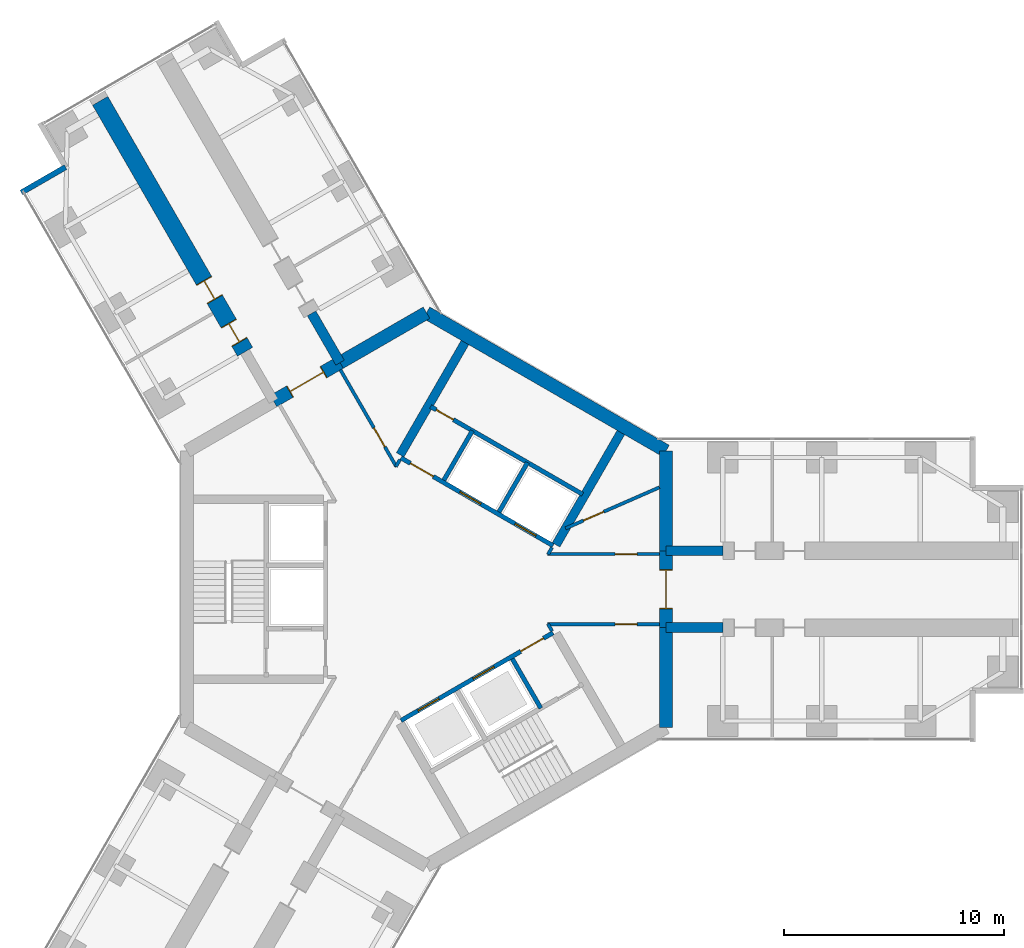
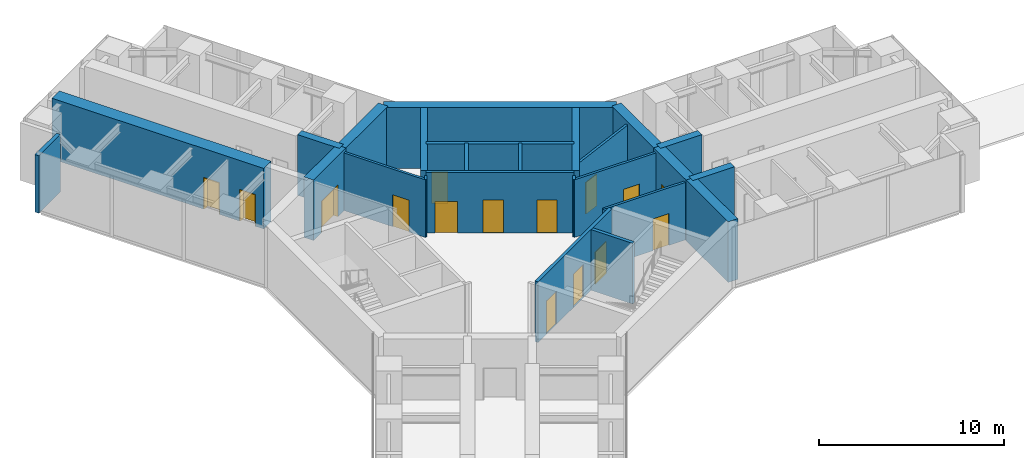
# One storey, part 16 of 22: 26 walls, 15 doors, 15 openings.
"""IFC4 building model written with IfcOpenShell, lengths in metres."""

from ifc_helpers import new_model, si_unit, direction, frame, frame_2d, origin, place, context, subcontext, project, spatial, rectangle, extrude, material, layer, layer_set, type_object, element, fill, save


model = new_model("IFC4")

# Units and contexts
model_context = context("Model", 3, precision=1e-05, world=origin(), true_north=direction((0.0, 1.0)))
body_context = subcontext(model_context, "Body", "Model", "MODEL_VIEW")
ifc_project = project(units=[si_unit("LENGTHUNIT", "METRE"), si_unit("AREAUNIT", "SQUARE_METRE"), si_unit("VOLUMEUNIT", "CUBIC_METRE"), si_unit("PLANEANGLEUNIT", "RADIAN"), si_unit("MASSUNIT", "GRAM", prefix="KILO")], contexts=[model_context])

# Site, building, storey
site_placement = place(None, origin())
site = spatial("IfcSite", under=ifc_project, at=site_placement, CompositionType="ELEMENT")
building_placement = place(site_placement, origin())
building = spatial("IfcBuilding", under=site, at=building_placement, Name="Upepo Twin Towers", CompositionType="ELEMENT")
storey_placement = place(building_placement, frame((0.0, 0.0, 97.5)))
storey = spatial("IfcBuildingStorey", under=building, at=storey_placement, Name="L23", CompositionType="ELEMENT", Elevation=97.5)

# Walls
ifc_material_1 = material(Name="Concrete C60/75", Category="concrete")
ifc_layer_1 = layer(ifc_material_1, 0.449951171875)
ifc_layer_set_1 = layer_set([ifc_layer_1], Name="Concrete C60/75")
wall_type_1 = type_object("IfcWallType", Name="Buttress wall 450 RC", PredefinedType="SHEAR", material=ifc_layer_set_1)
for number, where, z_axis, x_axis, name in (
    (1, (10.908447265625, 1.75, 0.0), (0.0, 0.0, 1.0), (1.0, 0.0, 0.0), "T1 wing A buttress wall L"),
    (2, (10.908447265625, -1.75, 0.0), (0.0, 0.0, 1.0), (1.0, 0.0, 0.0), "T1 wing A buttress wall R"),
):
    element("IfcWall", number, at=place(storey_placement, frame(where, z_axis=z_axis, x_axis=x_axis)), inside=storey, type_object=wall_type_1, Name=name, PredefinedType="SHEAR", context=body_context, shape_type="SweptSolid", body=[
        extrude(rectangle(XDim=2.591552734375, YDim=0.449951171875, at=frame_2d((1.2958984375, 0.0))), origin(), (0.0, 0.0, 1.0), 4.0),
    ])
wall_1_placement = place(storey_placement, frame((-3.938720703125, 10.32177734375, 0.0), z_axis=(0.0, 0.0, 1.0), x_axis=(-0.499918158782, 0.866072649678, 0.0)))
element("IfcWall", 3, at=wall_1_placement, inside=storey, type_object=wall_type_1, Name="T1 wing B buttress wall R", PredefinedType="SHEAR", context=body_context, shape_type="SweptSolid", body=[
    extrude(rectangle(XDim=2.591796875, YDim=0.449951171875, at=frame_2d((1.2958984375, 0.0))), origin(), (0.0, 0.0, 1.0), 4.0),
])

# Wall, openings, doors
ifc_material_2 = material(Name="Concrete C60/75", Category="concrete")
ifc_layer_2 = layer(ifc_material_2, 0.800048828125)
ifc_layer_set_2 = layer_set([ifc_layer_2], Name="Concrete C60/75")
wall_type_2 = type_object("IfcWallType", Name="Buttress wall 800 RC", PredefinedType="SHEAR", material=ifc_layer_set_2)
wall_2_placement = place(storey_placement, frame((-8.265625, 10.81640625, 0.0), z_axis=(0.0, 0.0, 1.0), x_axis=(-0.499996231654, 0.866027579429, 0.0)))
wall_2 = element("IfcWall", 4, at=wall_2_placement, inside=storey, type_object=wall_type_2, Name="T1 wing B buttress wall L part 2", PredefinedType="SHEAR", context=body_context, shape_type="SweptSolid", body=[
    extrude(rectangle(XDim=13.19970703125, YDim=0.800048828125, at=frame_2d((6.599853515625, 0.0))), origin(), (0.0, 0.0, 1.0), 4.0),
])
opening_1_placement = place(wall_2_placement, frame((0.5, 0.0, 0.0)))
opening_1 = element("IfcOpeningElement", 5, at=opening_1_placement, cuts=wall_2, Name="Opening D15", PredefinedType="OPENING", context=body_context, shape_type="SweptSolid", body=[
    extrude(rectangle(XDim=1.0, YDim=2.10009765625, at=frame_2d((0.5, 1.050048828125))), frame((0.0, 0.409912109375, 0.0), z_axis=(0.0, -1.0, 0.0), x_axis=(1.0, 0.0, 0.0)), (0.0, 0.0, 1.0), 0.820068359375),
])
opening_2_placement = place(wall_2_placement, frame((2.75, 0.0, 0.0)))
opening_2 = element("IfcOpeningElement", 6, at=opening_2_placement, cuts=wall_2, Name="Opening D15", PredefinedType="OPENING", context=body_context, shape_type="SweptSolid", body=[
    extrude(rectangle(XDim=1.0, YDim=2.10009765625, at=frame_2d((0.5, 1.050048828125))), frame((0.0, 0.409912109375, 0.0), z_axis=(0.0, -1.0, 0.0), x_axis=(1.0, 0.0, 0.0)), (0.0, 0.0, 1.0), 0.820068359375),
])
ifc_material_3 = material(Name="Timber doorset", Category="wood")
door_type_1 = type_object("IfcDoorType", Name="Glazed door 1000 FD30", OperationType="SINGLE_SWING_LEFT", PredefinedType="DOOR", material=ifc_material_3)
door_1_placement = place(opening_1_placement, origin())
door_1 = element("IfcDoor", 7, at=door_1_placement, inside=storey, type_object=door_type_1, Name="T1 L23 faculty office door", OperationType="SINGLE_SWING_LEFT", OverallHeight=2.10009765625, OverallWidth=1.0, PredefinedType="DOOR", context=body_context, shape_type="SweptSolid", body=[
    extrude(rectangle(XDim=0.92, YDim=2.06009765625, at=frame_2d((0.5, 1.030029296875))), frame((0.0, 0.02490234375, 0.0), z_axis=(0.0, -1.0, 0.0), x_axis=(1.0, 0.0, 0.0)), (0.0, 0.0, 1.0), 0.050048828125),
    extrude(rectangle(XDim=0.04, YDim=2.10009765625, at=frame_2d((0.02001953125, 1.050048828125))), frame((0.0, 0.39990234375, 0.0), z_axis=(0.0, -1.0, 0.0), x_axis=(1.0, 0.0, 0.0)), (0.0, 0.0, 1.0), 0.799560546875),
    extrude(rectangle(XDim=0.04, YDim=2.10009765625, at=frame_2d((0.97998046875, 1.050048828125))), frame((0.0, 0.39990234375, 0.0), z_axis=(0.0, -1.0, 0.0), x_axis=(1.0, 0.0, 0.0)), (0.0, 0.0, 1.0), 0.799560546875),
    extrude(rectangle(XDim=0.92, YDim=0.04, at=frame_2d((0.5, 2.080078125))), frame((0.0, 0.39990234375, 0.0), z_axis=(0.0, -1.0, 0.0), x_axis=(1.0, 0.0, 0.0)), (0.0, 0.0, 1.0), 0.799560546875),
])
fill(opening_1, door_1)
door_2_placement = place(opening_2_placement, origin())
door_2 = element("IfcDoor", 8, at=door_2_placement, inside=storey, type_object=door_type_1, Name="T1 L23 postgraduate research office door", OperationType="SINGLE_SWING_LEFT", OverallHeight=2.10009765625, OverallWidth=1.0, PredefinedType="DOOR", context=body_context, shape_type="SweptSolid", body=[
    extrude(rectangle(XDim=0.92, YDim=2.06009765625, at=frame_2d((0.5, 1.030029296875))), frame((0.0, 0.02490234375, 0.0), z_axis=(0.0, -1.0, 0.0), x_axis=(1.0, 0.0, 0.0)), (0.0, 0.0, 1.0), 0.050048828125),
    extrude(rectangle(XDim=0.04, YDim=2.10009765625, at=frame_2d((0.02001953125, 1.050048828125))), frame((0.0, 0.39990234375, 0.0), z_axis=(0.0, -1.0, 0.0), x_axis=(1.0, 0.0, 0.0)), (0.0, 0.0, 1.0), 0.799560546875),
    extrude(rectangle(XDim=0.04, YDim=2.10009765625, at=frame_2d((0.97998046875, 1.050048828125))), frame((0.0, 0.39990234375, 0.0), z_axis=(0.0, -1.0, 0.0), x_axis=(1.0, 0.0, 0.0)), (0.0, 0.0, 1.0), 0.799560546875),
    extrude(rectangle(XDim=0.92, YDim=0.04, at=frame_2d((0.5, 2.080078125))), frame((0.0, 0.39990234375, 0.0), z_axis=(0.0, -1.0, 0.0), x_axis=(1.0, 0.0, 0.0)), (0.0, 0.0, 1.0), 0.799560546875),
])
fill(opening_2, door_2)

# Wall
ifc_material_4 = material(Name="Concrete C60/75", Category="concrete")
ifc_layer_3 = layer(ifc_material_4, 0.60009765625)
ifc_layer_set_3 = layer_set([ifc_layer_3], Name="Concrete C60/75")
wall_type_3 = type_object("IfcWallType", Name="Core wall 600 RC", PredefinedType="SHEAR", material=ifc_layer_set_3)
wall_3_placement = place(storey_placement, frame((10.908447265625, -6.2978515625, 0.0), z_axis=(0.0, 0.0, 1.0), x_axis=(0.0, 1.0, 0.0)))
element("IfcWall", 9, at=wall_3_placement, inside=storey, type_object=wall_type_3, Name="T1 core wall 000 R", PredefinedType="SHEAR", context=body_context, shape_type="SweptSolid", body=[
    extrude(rectangle(XDim=4.5478515625, YDim=0.60009765625, at=frame_2d((2.27392578125, 0.0))), origin(), (0.0, 0.0, 1.0), 4.0),
])

# Wall, opening, door
wall_4_placement = place(storey_placement, frame((10.908447265625, -1.75, 0.0), z_axis=(0.0, 0.0, 1.0), x_axis=(0.0, 1.0, 0.0)))
wall_4 = element("IfcWall", 10, at=wall_4_placement, inside=storey, type_object=wall_type_3, Name="T1 core wall 000", PredefinedType="SHEAR", context=body_context, shape_type="SweptSolid", body=[
    extrude(rectangle(XDim=3.5, YDim=0.60009765625, at=frame_2d((1.75, 0.0))), origin(), (0.0, 0.0, 1.0), 4.0),
])
opening_3_placement = place(wall_4_placement, frame((0.85009765625, 0.0, 0.0)))
opening_3 = element("IfcOpeningElement", 11, at=opening_3_placement, cuts=wall_4, Name="Opening D2", PredefinedType="OPENING", context=body_context, shape_type="SweptSolid", body=[
    extrude(rectangle(XDim=1.800048828125, YDim=2.10009765625, at=frame_2d((0.89990234375, 1.050048828125))), frame((0.0, 0.31005859375, 0.0), z_axis=(0.0, -1.0, 0.0), x_axis=(1.0, 0.0, 0.0)), (0.0, 0.0, 1.0), 0.6201171875),
])
ifc_material_5 = material(Name="Timber doorset", Category="wood")
door_type_2 = type_object("IfcDoorType", Name="Corridor double door 1800 FD60", OperationType="DOUBLE_DOOR_DOUBLE_SWING", PredefinedType="DOOR", material=ifc_material_5)
door_3_placement = place(opening_3_placement, origin())
door_3 = element("IfcDoor", 12, at=door_3_placement, inside=storey, type_object=door_type_2, Name="T1 L23 wing A corridor door", OperationType="DOUBLE_DOOR_DOUBLE_SWING", OverallHeight=2.10009765625, OverallWidth=1.800048828125, PredefinedType="DOOR", context=body_context, shape_type="SweptSolid", body=[
    extrude(rectangle(XDim=1.720048828125, YDim=2.06009765625, at=frame_2d((0.89990234375, 1.030029296875))), frame((0.0, 0.02490234375, 0.0), z_axis=(0.0, -1.0, 0.0), x_axis=(1.0, 0.0, 0.0)), (0.0, 0.0, 1.0), 0.050048828125),
    extrude(rectangle(XDim=0.04, YDim=2.10009765625, at=frame_2d((0.02001953125, 1.050048828125))), frame((0.0, 0.2998046875, 0.0), z_axis=(0.0, -1.0, 0.0), x_axis=(1.0, 0.0, 0.0)), (0.0, 0.0, 1.0), 0.599609375),
    extrude(rectangle(XDim=0.04, YDim=2.10009765625, at=frame_2d((1.780029296875, 1.050048828125))), frame((0.0, 0.2998046875, 0.0), z_axis=(0.0, -1.0, 0.0), x_axis=(1.0, 0.0, 0.0)), (0.0, 0.0, 1.0), 0.599609375),
    extrude(rectangle(XDim=1.720048828125, YDim=0.04, at=frame_2d((0.89990234375, 2.080078125))), frame((0.0, 0.2998046875, 0.0), z_axis=(0.0, -1.0, 0.0), x_axis=(1.0, 0.0, 0.0)), (0.0, 0.0, 1.0), 0.599609375),
])
fill(opening_3, door_3)

# Walls
wall_5_placement = place(storey_placement, frame((10.908447265625, 1.75, 0.0), z_axis=(0.0, 0.0, 1.0), x_axis=(0.0, 1.0, 0.0)))
element("IfcWall", 13, at=wall_5_placement, inside=storey, type_object=wall_type_3, Name="T1 core wall 000 L", PredefinedType="SHEAR", context=body_context, shape_type="SweptSolid", body=[
    extrude(rectangle(XDim=4.5478515625, YDim=0.60009765625, at=frame_2d((2.27392578125, 0.0))), origin(), (0.0, 0.0, 1.0), 4.0),
])
wall_6_placement = place(storey_placement, frame((10.908447265625, 6.2978515625, 0.0), z_axis=(0.0, 0.0, 1.0), x_axis=(-0.866021940709, 0.500005998175, 0.0)))
element("IfcWall", 14, at=wall_6_placement, inside=storey, type_object=wall_type_3, Name="T1 core wall 060", PredefinedType="SHEAR", context=body_context, shape_type="SweptSolid", body=[
    extrude(rectangle(XDim=12.595947265625, YDim=0.60009765625, at=frame_2d((6.2978515625, 0.0))), origin(), (0.0, 0.0, 1.0), 4.0),
])
wall_7_placement = place(storey_placement, frame((0.0, 12.595947265625, 0.0), z_axis=(0.0, 0.0, 1.0), x_axis=(-0.866011268655, -0.500024481964, 0.0)))
element("IfcWall", 15, at=wall_7_placement, inside=storey, type_object=wall_type_3, Name="T1 core wall 120 R", PredefinedType="SHEAR", context=body_context, shape_type="SweptSolid", body=[
    extrude(rectangle(XDim=4.548095703125, YDim=0.60009765625, at=frame_2d((2.27392578125, 0.0))), origin(), (0.0, 0.0, 1.0), 4.0),
])

# Wall, opening, door
wall_8_placement = place(storey_placement, frame((-3.938720703125, 10.32177734375, 0.0), z_axis=(0.0, 0.0, 1.0), x_axis=(-0.866019471182, -0.500010275428, 0.0)))
wall_8 = element("IfcWall", 16, at=wall_8_placement, inside=storey, type_object=wall_type_3, Name="T1 core wall 120", PredefinedType="SHEAR", context=body_context, shape_type="SweptSolid", body=[
    extrude(rectangle(XDim=3.5, YDim=0.60009765625, at=frame_2d((1.75, 0.0))), origin(), (0.0, 0.0, 1.0), 4.0),
])
opening_4_placement = place(wall_8_placement, frame((0.85009765625, 0.0, 0.0)))
opening_4 = element("IfcOpeningElement", 17, at=opening_4_placement, cuts=wall_8, Name="Opening D2", PredefinedType="OPENING", context=body_context, shape_type="SweptSolid", body=[
    extrude(rectangle(XDim=1.800048828125, YDim=2.10009765625, at=frame_2d((0.89990234375, 1.050048828125))), frame((0.0, 0.31005859375, 0.0), z_axis=(0.0, -1.0, 0.0), x_axis=(1.0, 0.0, 0.0)), (0.0, 0.0, 1.0), 0.6201171875),
])
door_4_placement = place(opening_4_placement, origin())
door_4 = element("IfcDoor", 18, at=door_4_placement, inside=storey, type_object=door_type_2, Name="T1 L23 wing B corridor door", OperationType="DOUBLE_DOOR_DOUBLE_SWING", OverallHeight=2.10009765625, OverallWidth=1.800048828125, PredefinedType="DOOR", context=body_context, shape_type="SweptSolid", body=[
    extrude(rectangle(XDim=1.720048828125, YDim=2.06009765625, at=frame_2d((0.89990234375, 1.030029296875))), frame((0.0, 0.02490234375, 0.0), z_axis=(0.0, -1.0, 0.0), x_axis=(1.0, 0.0, 0.0)), (0.0, 0.0, 1.0), 0.050048828125),
    extrude(rectangle(XDim=0.04, YDim=2.10009765625, at=frame_2d((0.02001953125, 1.050048828125))), frame((0.0, 0.2998046875, 0.0), z_axis=(0.0, -1.0, 0.0), x_axis=(1.0, 0.0, 0.0)), (0.0, 0.0, 1.0), 0.599609375),
    extrude(rectangle(XDim=0.04, YDim=2.10009765625, at=frame_2d((1.780029296875, 1.050048828125))), frame((0.0, 0.2998046875, 0.0), z_axis=(0.0, -1.0, 0.0), x_axis=(1.0, 0.0, 0.0)), (0.0, 0.0, 1.0), 0.599609375),
    extrude(rectangle(XDim=1.720048828125, YDim=0.04, at=frame_2d((0.89990234375, 2.080078125))), frame((0.0, 0.2998046875, 0.0), z_axis=(0.0, -1.0, 0.0), x_axis=(1.0, 0.0, 0.0)), (0.0, 0.0, 1.0), 0.599609375),
])
fill(opening_4, door_4)

# Wall
ifc_material_6 = material(Name="Blockwork with anodised aluminium cladding", Category="masonry")
ifc_layer_4 = layer(ifc_material_6, 0.25)
ifc_layer_set_4 = layer_set([ifc_layer_4], Name="Notch cladding wall 250, pale metal")
wall_type_4 = type_object("IfcWallType", Name="Notch cladding wall 250, pale metal", PredefinedType="STANDARD", material=ifc_layer_set_4)
wall_9_placement = place(storey_placement, frame((-18.456298828125, 18.0673828125, 0.0), z_axis=(0.0, 0.0, 1.0), x_axis=(0.865998469481, 0.500046648681, 0.0)))
element("IfcWall", 19, at=wall_9_placement, inside=storey, type_object=wall_type_4, Name="T1 L23 wing B notch wall L1", PredefinedType="STANDARD", context=body_context, shape_type="SweptSolid", body=[
    extrude(rectangle(XDim=2.324951171875, YDim=0.25, at=frame_2d((1.16259765625, 0.0))), origin(), (0.0, 0.0, 1.0), 3.800048828125),
])

# Wall, openings, doors
ifc_material_7 = material(Name="Concrete C40/50", Category="concrete")
ifc_layer_5 = layer(ifc_material_7, 0.199951171875)
ifc_layer_set_5 = layer_set([ifc_layer_5], Name="Concrete C40/50")
wall_type_5 = type_object("IfcWallType", Name="Shaft wall 200 RC", PredefinedType="SHEAR", material=ifc_layer_set_5)
wall_10_placement = place(storey_placement, frame((5.76416015625, 1.983642578125, 0.0), z_axis=(0.0, 0.0, 1.0), x_axis=(-0.866026010844, 0.49999894854, 0.0)))
wall_10 = element("IfcWall", 20, at=wall_10_placement, inside=storey, type_object=wall_type_5, Name="T1 core W60 front wall", PredefinedType="SHEAR", context=body_context, shape_type="SweptSolid", body=[
    extrude(rectangle(XDim=8.0, YDim=0.199951171875, at=frame_2d((4.0, 0.0))), origin(), (0.0, 0.0, 1.0), 4.0),
])
opening_5_placement = place(wall_10_placement, frame((6.300048828125, 0.0, 0.0)))
opening_5 = element("IfcOpeningElement", 21, at=opening_5_placement, cuts=wall_10, Name="Opening D4", PredefinedType="OPENING", context=body_context, shape_type="SweptSolid", body=[
    extrude(rectangle(XDim=1.199951171875, YDim=2.10009765625, at=frame_2d((0.60009765625, 1.050048828125))), frame((0.0, 0.10986328125, 0.0), z_axis=(0.0, -1.0, 0.0), x_axis=(1.0, 0.0, 0.0)), (0.0, 0.0, 1.0), 0.219970703125),
])
opening_6_placement = place(wall_10_placement, frame((0.89990234375, 0.0, 0.0)))
opening_6 = element("IfcOpeningElement", 22, at=opening_6_placement, cuts=wall_10, Name="Opening LD1", PredefinedType="OPENING", context=body_context, shape_type="SweptSolid", body=[
    extrude(rectangle(XDim=1.10009765625, YDim=2.199951171875, at=frame_2d((0.550048828125, 1.10009765625))), frame((0.0, 0.10986328125, 0.0), z_axis=(0.0, -1.0, 0.0), x_axis=(1.0, 0.0, 0.0)), (0.0, 0.0, 1.0), 0.219970703125),
])
opening_7_placement = place(wall_10_placement, frame((3.800048828125, 0.0, 0.0)))
opening_7 = element("IfcOpeningElement", 23, at=opening_7_placement, cuts=wall_10, Name="Opening LD1", PredefinedType="OPENING", context=body_context, shape_type="SweptSolid", body=[
    extrude(rectangle(XDim=1.10009765625, YDim=2.199951171875, at=frame_2d((0.550048828125, 1.10009765625))), frame((0.0, 0.10986328125, 0.0), z_axis=(0.0, -1.0, 0.0), x_axis=(1.0, 0.0, 0.0)), (0.0, 0.0, 1.0), 0.219970703125),
])
ifc_material_8 = material(Name="Steel doorset", Category="steel")
door_type_3 = type_object("IfcDoorType", Name="Lift landing door 1100", OperationType="DOUBLE_DOOR_SLIDING", PredefinedType="DOOR", material=ifc_material_8)
door_5_placement = place(opening_6_placement, origin())
door_5 = element("IfcDoor", 24, at=door_5_placement, inside=storey, type_object=door_type_3, Name="T1 L23 lift EX1 landing door", OperationType="DOUBLE_DOOR_SLIDING", OverallHeight=2.199951171875, OverallWidth=1.10009765625, PredefinedType="DOOR", context=body_context, shape_type="SweptSolid", body=[
    extrude(rectangle(XDim=1.10009765625, YDim=2.199951171875, at=frame_2d((0.550048828125, 1.10009765625))), frame((0.0, 0.02490234375, 0.0), z_axis=(0.0, -1.0, 0.0), x_axis=(1.0, 0.0, 0.0)), (0.0, 0.0, 1.0), 0.050048828125),
])
fill(opening_6, door_5)
door_6_placement = place(opening_7_placement, origin())
door_6 = element("IfcDoor", 25, at=door_6_placement, inside=storey, type_object=door_type_3, Name="T1 L23 lift EX2 landing door", OperationType="DOUBLE_DOOR_SLIDING", OverallHeight=2.199951171875, OverallWidth=1.10009765625, PredefinedType="DOOR", context=body_context, shape_type="SweptSolid", body=[
    extrude(rectangle(XDim=1.10009765625, YDim=2.199951171875, at=frame_2d((0.550048828125, 1.10009765625))), frame((0.0, 0.02490234375, 0.0), z_axis=(0.0, -1.0, 0.0), x_axis=(1.0, 0.0, 0.0)), (0.0, 0.0, 1.0), 0.050048828125),
])
fill(opening_7, door_6)
ifc_material_9 = material(Name="Timber doorset", Category="wood")
door_type_4 = type_object("IfcDoorType", Name="Lobby door 1200 FD60", OperationType="SINGLE_SWING_LEFT", PredefinedType="DOOR", material=ifc_material_9)
door_7_placement = place(opening_5_placement, origin())
door_7 = element("IfcDoor", 26, at=door_7_placement, inside=storey, type_object=door_type_4, Name="T1 L23 W60 lobby door", OperationType="SINGLE_SWING_RIGHT", OverallHeight=2.10009765625, OverallWidth=1.199951171875, PredefinedType="DOOR", context=body_context, shape_type="SweptSolid", body=[
    extrude(rectangle(XDim=1.199951171875, YDim=2.10009765625, at=frame_2d((0.60009765625, 1.050048828125))), frame((0.0, 0.02490234375, 0.0), z_axis=(0.0, -1.0, 0.0), x_axis=(1.0, 0.0, 0.0)), (0.0, 0.0, 1.0), 0.050048828125),
])
fill(opening_5, door_7)

# Walls
for number, where, z_axis, x_axis, name in (
    (27, (3.302734375, 3.520263671875, 0.0), (0.0, 0.0, 1.0), (0.499936506574, 0.866062058628, 0.0), "T1 core W60 shaft divider"),
    (28, (0.791259765625, 4.97021484375, 0.0), (0.0, 0.0, 1.0), (0.499936506574, 0.866062058628, 0.0), "T1 core W60 lobby wall"),
):
    element("IfcWall", number, at=place(storey_placement, frame(where, z_axis=z_axis, x_axis=x_axis)), inside=storey, type_object=wall_type_5, Name=name, PredefinedType="SHEAR", context=body_context, shape_type="SweptSolid", body=[
        extrude(rectangle(XDim=2.599853515625, YDim=0.199951171875, at=frame_2d((1.2998046875, 0.0))), origin(), (0.0, 0.0, 1.0), 4.0),
    ])

# Wall, opening, door
wall_11_placement = place(storey_placement, frame((7.114013671875, 4.322021484375, 0.0), z_axis=(0.0, 0.0, 1.0), x_axis=(-0.866026010844, 0.49999894854, 0.0)))
wall_11 = element("IfcWall", 29, at=wall_11_placement, inside=storey, type_object=wall_type_5, Name="T1 core W60 stair wall", PredefinedType="SHEAR", context=body_context, shape_type="SweptSolid", body=[
    extrude(rectangle(XDim=8.0, YDim=0.199951171875, at=frame_2d((4.0, 0.0))), origin(), (0.0, 0.0, 1.0), 4.0),
])
opening_8_placement = place(wall_11_placement, frame((6.800048828125, 0.0, 0.0)))
opening_8 = element("IfcOpeningElement", 30, at=opening_8_placement, cuts=wall_11, Name="Opening D9", PredefinedType="OPENING", context=body_context, shape_type="SweptSolid", body=[
    extrude(rectangle(XDim=0.89990234375, YDim=2.10009765625, at=frame_2d((0.449951171875, 1.050048828125))), frame((0.0, 0.10986328125, 0.0), z_axis=(0.0, -1.0, 0.0), x_axis=(1.0, 0.0, 0.0)), (0.0, 0.0, 1.0), 0.219970703125),
])
ifc_material_10 = material(Name="Timber doorset", Category="wood")
door_type_5 = type_object("IfcDoorType", Name="Riser door 900 FD60", OperationType="SINGLE_SWING_LEFT", PredefinedType="DOOR", material=ifc_material_10)
door_8_placement = place(opening_8_placement, origin())
door_8 = element("IfcDoor", 31, at=door_8_placement, inside=storey, type_object=door_type_5, Name="T1 L23 riser door", OperationType="SINGLE_SWING_RIGHT", OverallHeight=2.10009765625, OverallWidth=0.89990234375, PredefinedType="DOOR", context=body_context, shape_type="SweptSolid", body=[
    extrude(rectangle(XDim=0.89990234375, YDim=2.10009765625, at=frame_2d((0.449951171875, 1.050048828125))), frame((0.0, 0.02490234375, 0.0), z_axis=(0.0, -1.0, 0.0), x_axis=(1.0, 0.0, 0.0)), (0.0, 0.0, 1.0), 0.050048828125),
])
fill(opening_8, door_8)

# Wall, openings, doors
wall_12_placement = place(storey_placement, frame((-1.1640625, -5.983642578125, 0.0), z_axis=(0.0, 0.0, 1.0), x_axis=(0.866026010844, 0.49999894854, 0.0)))
wall_12 = element("IfcWall", 32, at=wall_12_placement, inside=storey, type_object=wall_type_5, Name="T1 core W300 front wall", PredefinedType="SHEAR", context=body_context, shape_type="SweptSolid", body=[
    extrude(rectangle(XDim=8.0, YDim=0.199951171875, at=frame_2d((4.0, 0.0))), origin(), (0.0, 0.0, 1.0), 4.0),
])
opening_9_placement = place(wall_12_placement, frame((6.300048828125, 0.0, 0.0)))
opening_9 = element("IfcOpeningElement", 33, at=opening_9_placement, cuts=wall_12, Name="Opening D4", PredefinedType="OPENING", context=body_context, shape_type="SweptSolid", body=[
    extrude(rectangle(XDim=1.199951171875, YDim=2.10009765625, at=frame_2d((0.60009765625, 1.050048828125))), frame((0.0, 0.10986328125, 0.0), z_axis=(0.0, -1.0, 0.0), x_axis=(1.0, 0.0, 0.0)), (0.0, 0.0, 1.0), 0.219970703125),
])
opening_10_placement = place(wall_12_placement, frame((0.89990234375, 0.0, 0.0)))
opening_10 = element("IfcOpeningElement", 34, at=opening_10_placement, cuts=wall_12, Name="Opening LD1", PredefinedType="OPENING", context=body_context, shape_type="SweptSolid", body=[
    extrude(rectangle(XDim=1.10009765625, YDim=2.199951171875, at=frame_2d((0.550048828125, 1.10009765625))), frame((0.0, 0.10986328125, 0.0), z_axis=(0.0, -1.0, 0.0), x_axis=(1.0, 0.0, 0.0)), (0.0, 0.0, 1.0), 0.219970703125),
])
opening_11_placement = place(wall_12_placement, frame((3.800048828125, 0.0, 0.0)))
opening_11 = element("IfcOpeningElement", 35, at=opening_11_placement, cuts=wall_12, Name="Opening LD1", PredefinedType="OPENING", context=body_context, shape_type="SweptSolid", body=[
    extrude(rectangle(XDim=1.10009765625, YDim=2.199951171875, at=frame_2d((0.550048828125, 1.10009765625))), frame((0.0, 0.10986328125, 0.0), z_axis=(0.0, -1.0, 0.0), x_axis=(1.0, 0.0, 0.0)), (0.0, 0.0, 1.0), 0.219970703125),
])
door_9_placement = place(opening_10_placement, origin())
door_9 = element("IfcDoor", 36, at=door_9_placement, inside=storey, type_object=door_type_3, Name="T1 L23 lift ML1 landing door", OperationType="DOUBLE_DOOR_SLIDING", OverallHeight=2.199951171875, OverallWidth=1.10009765625, PredefinedType="DOOR", context=body_context, shape_type="SweptSolid", body=[
    extrude(rectangle(XDim=1.10009765625, YDim=2.199951171875, at=frame_2d((0.550048828125, 1.10009765625))), frame((0.0, 0.02490234375, 0.0), z_axis=(0.0, -1.0, 0.0), x_axis=(1.0, 0.0, 0.0)), (0.0, 0.0, 1.0), 0.050048828125),
])
fill(opening_10, door_9)
door_10_placement = place(opening_11_placement, origin())
door_10 = element("IfcDoor", 37, at=door_10_placement, inside=storey, type_object=door_type_3, Name="T1 L23 lift ML2 landing door", OperationType="DOUBLE_DOOR_SLIDING", OverallHeight=2.199951171875, OverallWidth=1.10009765625, PredefinedType="DOOR", context=body_context, shape_type="SweptSolid", body=[
    extrude(rectangle(XDim=1.10009765625, YDim=2.199951171875, at=frame_2d((0.550048828125, 1.10009765625))), frame((0.0, 0.02490234375, 0.0), z_axis=(0.0, -1.0, 0.0), x_axis=(1.0, 0.0, 0.0)), (0.0, 0.0, 1.0), 0.050048828125),
])
fill(opening_11, door_10)
door_11_placement = place(opening_9_placement, origin())
door_11 = element("IfcDoor", 38, at=door_11_placement, inside=storey, type_object=door_type_4, Name="T1 L23 W300 lobby door", OperationType="SINGLE_SWING_RIGHT", OverallHeight=2.10009765625, OverallWidth=1.199951171875, PredefinedType="DOOR", context=body_context, shape_type="SweptSolid", body=[
    extrude(rectangle(XDim=1.199951171875, YDim=2.10009765625, at=frame_2d((0.60009765625, 1.050048828125))), frame((0.0, 0.02490234375, 0.0), z_axis=(0.0, -1.0, 0.0), x_axis=(1.0, 0.0, 0.0)), (0.0, 0.0, 1.0), 0.050048828125),
])
fill(opening_9, door_11)

# Walls
wall_13_placement = place(storey_placement, frame((3.908935546875, -3.17041015625, 0.0), z_axis=(0.0, 0.0, 1.0), x_axis=(0.49997716683, -0.86603858612, 0.0)))
element("IfcWall", 39, at=wall_13_placement, inside=storey, type_object=wall_type_5, Name="T1 core W300 lobby wall", PredefinedType="SHEAR", context=body_context, shape_type="SweptSolid", body=[
    extrude(rectangle(XDim=2.599609375, YDim=0.199951171875, at=frame_2d((1.2998046875, 0.0))), origin(), (0.0, 0.0, 1.0), 4.0),
])
ifc_material_11 = material(Name="Concrete C40/50", Category="concrete")
ifc_layer_6 = layer(ifc_material_11, 0.39990234375)
ifc_layer_set_6 = layer_set([ifc_layer_6], Name="Concrete C40/50")
wall_type_6 = type_object("IfcWallType", Name="Shaft wall 400 RC", PredefinedType="SHEAR", material=ifc_layer_set_6)
wall_14_placement = place(storey_placement, frame((-1.20068359375, 6.120361328125, 0.0), z_axis=(0.0, 0.0, 1.0), x_axis=(0.49999668571, 0.866027317282, 0.0)))
element("IfcWall", 40, at=wall_14_placement, inside=storey, type_object=wall_type_6, Name="T1 core W60 side wall N", PredefinedType="SHEAR", context=body_context, shape_type="SweptSolid", body=[
    extrude(rectangle(XDim=5.908203125, YDim=0.39990234375, at=frame_2d((2.9541015625, 0.0))), origin(), (0.0, 0.0, 1.0), 4.0),
])
wall_15_placement = place(storey_placement, frame((5.900634765625, 2.020263671875, 0.0), z_axis=(0.0, 0.0, 1.0), x_axis=(0.500027676417, 0.866009424208, 0.0)))
element("IfcWall", 41, at=wall_15_placement, inside=storey, type_object=wall_type_6, Name="T1 core W60 side wall S", PredefinedType="SHEAR", context=body_context, shape_type="SweptSolid", body=[
    extrude(rectangle(XDim=5.908447265625, YDim=0.39990234375, at=frame_2d((2.9541015625, 0.0))), origin(), (0.0, 0.0, 1.0), 4.0),
])

# Wall, opening, door
ifc_material_12 = material(Name="Gypsum board on steel studs", Category="steel")
ifc_layer_7 = layer(ifc_material_12, 0.14990234375)
ifc_layer_set_7 = layer_set([ifc_layer_7], Name="Teaching partition 150 acoustic")
wall_type_7 = type_object("IfcWallType", Name="Teaching partition 150 acoustic", PredefinedType="PARTITIONING", material=ifc_layer_set_7)
wall_16_placement = place(storey_placement, frame((-3.923583984375, 9.99560546875, 0.0), z_axis=(0.0, 0.0, 1.0), x_axis=(0.500050086259, -0.865996484538, 0.0)))
wall_16 = element("IfcWall", 42, at=wall_16_placement, inside=storey, type_object=wall_type_7, Name="T1 core room partition 7", PredefinedType="PARTITIONING", context=body_context, shape_type="SweptSolid", body=[
    extrude(rectangle(XDim=5.095703125, YDim=0.14990234375, at=frame_2d((2.5478515625, 0.0))), origin(), (0.0, 0.0, 1.0), 3.800048828125),
])
opening_12_placement = place(wall_16_placement, frame((3.052978515625, 0.0, 0.0)))
opening_12 = element("IfcOpeningElement", 43, at=opening_12_placement, cuts=wall_16, Name="Opening D1", PredefinedType="OPENING", context=body_context, shape_type="SweptSolid", body=[
    extrude(rectangle(XDim=1.0, YDim=2.10009765625, at=frame_2d((0.5, 1.050048828125))), frame((0.0, 0.0849609375, 0.0), z_axis=(0.0, -1.0, 0.0), x_axis=(1.0, 0.0, 0.0)), (0.0, 0.0, 1.0), 0.169921875),
])
ifc_material_13 = material(Name="Timber doorset", Category="wood")
door_type_6 = type_object("IfcDoorType", Name="Room door 1000 FD30", OperationType="SINGLE_SWING_LEFT", PredefinedType="DOOR", material=ifc_material_13)
door_12_placement = place(opening_12_placement, origin())
door_12 = element("IfcDoor", 44, at=door_12_placement, inside=storey, type_object=door_type_6, Name="T1 L23 core room door K6", OperationType="SINGLE_SWING_RIGHT", OverallHeight=2.10009765625, OverallWidth=1.0, PredefinedType="DOOR", context=body_context, shape_type="SweptSolid", body=[
    extrude(rectangle(XDim=1.0, YDim=2.10009765625, at=frame_2d((0.5, 1.050048828125))), frame((0.0, 0.02490234375, 0.0), z_axis=(0.0, -1.0, 0.0), x_axis=(1.0, 0.0, 0.0)), (0.0, 0.0, 1.0), 0.050048828125),
])
fill(opening_12, door_12)

# Walls
wall_17_placement = place(storey_placement, frame((-1.3955078125, 5.582763671875, 0.0), z_axis=(0.0, 0.0, 1.0), x_axis=(0.500081290722, 0.865978465477, 0.0)))
element("IfcWall", 45, at=wall_17_placement, inside=storey, type_object=wall_type_7, Name="T1 core room partition 8", PredefinedType="PARTITIONING", context=body_context, shape_type="SweptSolid", body=[
    extrude(rectangle(XDim=0.373046875, YDim=0.14990234375, at=frame_2d((0.1865234375, 0.0))), origin(), (0.0, 0.0, 1.0), 3.800048828125),
])
wall_18_placement = place(storey_placement, frame((5.718994140625, 1.90576171875, 0.0), z_axis=(0.0, 0.0, 1.0), x_axis=(-0.499590185398, -0.866261881104, 0.0)))
element("IfcWall", 46, at=wall_18_placement, inside=storey, type_object=wall_type_7, Name="T1 core room partition 9", PredefinedType="PARTITIONING", context=body_context, shape_type="SweptSolid", body=[
    extrude(rectangle(XDim=0.372802734375, YDim=0.14990234375, at=frame_2d((0.1865234375, 0.0))), origin(), (0.0, 0.0, 1.0), 3.800048828125),
])

# Wall, opening, door
wall_19_placement = place(storey_placement, frame((5.522705078125, 1.60009765625, 0.0), z_axis=(0.0, 0.0, 1.0), x_axis=(1.0, 0.0, 0.0)))
wall_19 = element("IfcWall", 47, at=wall_19_placement, inside=storey, type_object=wall_type_7, Name="T1 core room partition 10", PredefinedType="PARTITIONING", context=body_context, shape_type="SweptSolid", body=[
    extrude(rectangle(XDim=5.095703125, YDim=0.14990234375, at=frame_2d((2.5478515625, 0.0))), origin(), (0.0, 0.0, 1.0), 3.800048828125),
])
opening_13_placement = place(wall_19_placement, frame((3.072998046875, 0.0, 0.0)))
opening_13 = element("IfcOpeningElement", 48, at=opening_13_placement, cuts=wall_19, Name="Opening D1", PredefinedType="OPENING", context=body_context, shape_type="SweptSolid", body=[
    extrude(rectangle(XDim=1.0, YDim=2.10009765625, at=frame_2d((0.5, 1.050048828125))), frame((0.0, 0.0849609375, 0.0), z_axis=(0.0, -1.0, 0.0), x_axis=(1.0, 0.0, 0.0)), (0.0, 0.0, 1.0), 0.169921875),
])
door_13_placement = place(opening_13_placement, origin())
door_13 = element("IfcDoor", 49, at=door_13_placement, inside=storey, type_object=door_type_6, Name="T1 L23 core room door K4", OperationType="SINGLE_SWING_RIGHT", OverallHeight=2.10009765625, OverallWidth=1.0, PredefinedType="DOOR", context=body_context, shape_type="SweptSolid", body=[
    extrude(rectangle(XDim=1.0, YDim=2.10009765625, at=frame_2d((0.5, 1.050048828125))), frame((0.0, 0.02490234375, 0.0), z_axis=(0.0, -1.0, 0.0), x_axis=(1.0, 0.0, 0.0)), (0.0, 0.0, 1.0), 0.050048828125),
])
fill(opening_13, door_13)

wall_20_placement = place(storey_placement, frame((10.618408203125, -1.60009765625, 0.0), z_axis=(0.0, 0.0, 1.0), x_axis=(-1.0, 0.0, 0.0)))
wall_20 = element("IfcWall", 50, at=wall_20_placement, inside=storey, type_object=wall_type_7, Name="T1 core room partition 11", PredefinedType="PARTITIONING", context=body_context, shape_type="SweptSolid", body=[
    extrude(rectangle(XDim=5.095703125, YDim=0.14990234375, at=frame_2d((2.5478515625, 0.0))), origin(), (0.0, 0.0, 1.0), 3.800048828125),
])
opening_14_placement = place(wall_20_placement, frame((1.022705078125, 0.0, 0.0)))
opening_14 = element("IfcOpeningElement", 51, at=opening_14_placement, cuts=wall_20, Name="Opening D1", PredefinedType="OPENING", context=body_context, shape_type="SweptSolid", body=[
    extrude(rectangle(XDim=1.0, YDim=2.10009765625, at=frame_2d((0.5, 1.050048828125))), frame((0.0, 0.0849609375, 0.0), z_axis=(0.0, -1.0, 0.0), x_axis=(1.0, 0.0, 0.0)), (0.0, 0.0, 1.0), 0.169921875),
])
door_14_placement = place(opening_14_placement, origin())
door_14 = element("IfcDoor", 52, at=door_14_placement, inside=storey, type_object=door_type_6, Name="T1 L23 core room door K3", OperationType="SINGLE_SWING_LEFT", OverallHeight=2.10009765625, OverallWidth=1.0, PredefinedType="DOOR", context=body_context, shape_type="SweptSolid", body=[
    extrude(rectangle(XDim=1.0, YDim=2.10009765625, at=frame_2d((0.5, 1.050048828125))), frame((0.0, 0.02490234375, 0.0), z_axis=(0.0, -1.0, 0.0), x_axis=(1.0, 0.0, 0.0)), (0.0, 0.0, 1.0), 0.050048828125),
])
fill(opening_14, door_14)

# Wall
wall_21_placement = place(storey_placement, frame((5.53271484375, -1.582763671875, 0.0), z_axis=(0.0, 0.0, 1.0), x_axis=(0.499590185398, -0.866261881104, 0.0)))
element("IfcWall", 53, at=wall_21_placement, inside=storey, type_object=wall_type_7, Name="T1 core room partition 12", PredefinedType="PARTITIONING", context=body_context, shape_type="SweptSolid", body=[
    extrude(rectangle(XDim=0.372802734375, YDim=0.14990234375, at=frame_2d((0.1865234375, 0.0))), origin(), (0.0, 0.0, 1.0), 3.800048828125),
])

# Wall, opening, door
wall_22_placement = place(storey_placement, frame((6.33349609375, 2.77001953125, 0.0), z_axis=(0.0, 0.0, 1.0), x_axis=(0.916207765353, 0.400703544664, 0.0)))
wall_22 = element("IfcWall", 54, at=wall_22_placement, inside=storey, type_object=wall_type_7, Name="T1 core room partition 13", PredefinedType="PARTITIONING", context=body_context, shape_type="SweptSolid", body=[
    extrude(rectangle(XDim=4.665771484375, YDim=0.14990234375, at=frame_2d((2.3330078125, 0.0))), origin(), (0.0, 0.0, 1.0), 3.800048828125),
])
opening_15_placement = place(wall_22_placement, frame((0.899658203125, 0.0, 0.0)))
opening_15 = element("IfcOpeningElement", 55, at=opening_15_placement, cuts=wall_22, Name="Opening D1", PredefinedType="OPENING", context=body_context, shape_type="SweptSolid", body=[
    extrude(rectangle(XDim=1.0, YDim=2.10009765625, at=frame_2d((0.5, 1.050048828125))), frame((0.0, 0.0849609375, 0.0), z_axis=(0.0, -1.0, 0.0), x_axis=(1.0, 0.0, 0.0)), (0.0, 0.0, 1.0), 0.169921875),
])
door_15_placement = place(opening_15_placement, origin())
door_15 = element("IfcDoor", 56, at=door_15_placement, inside=storey, type_object=door_type_6, Name="T1 L23 core room door K5", OperationType="SINGLE_SWING_LEFT", OverallHeight=2.10009765625, OverallWidth=1.0, PredefinedType="DOOR", context=body_context, shape_type="SweptSolid", body=[
    extrude(rectangle(XDim=1.0, YDim=2.10009765625, at=frame_2d((0.5, 1.050048828125))), frame((0.0, 0.02490234375, 0.0), z_axis=(0.0, -1.0, 0.0), x_axis=(1.0, 0.0, 0.0)), (0.0, 0.0, 1.0), 0.050048828125),
])
fill(opening_15, door_15)

save(model, "model.ifc")
